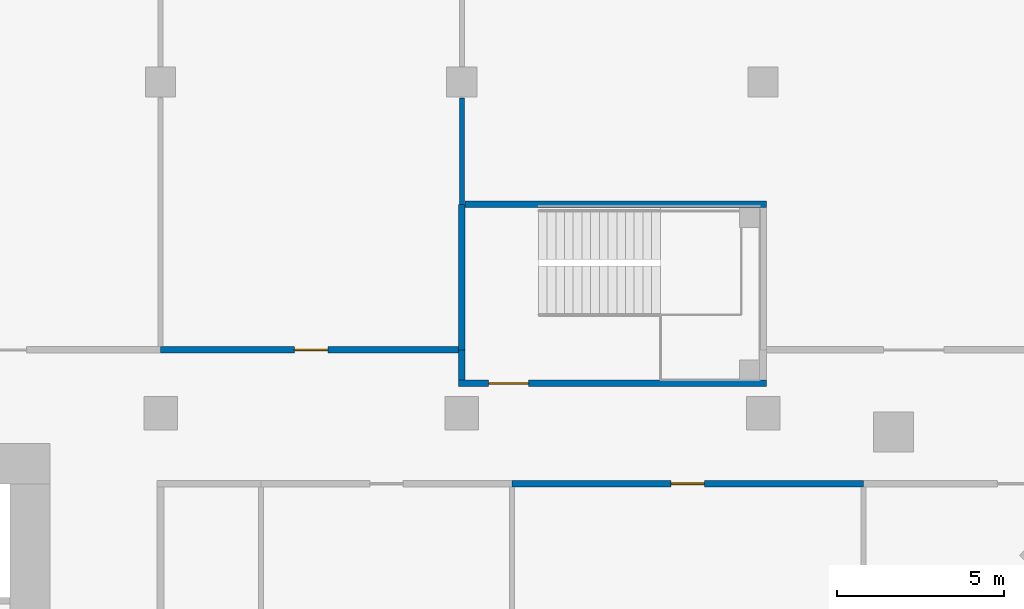
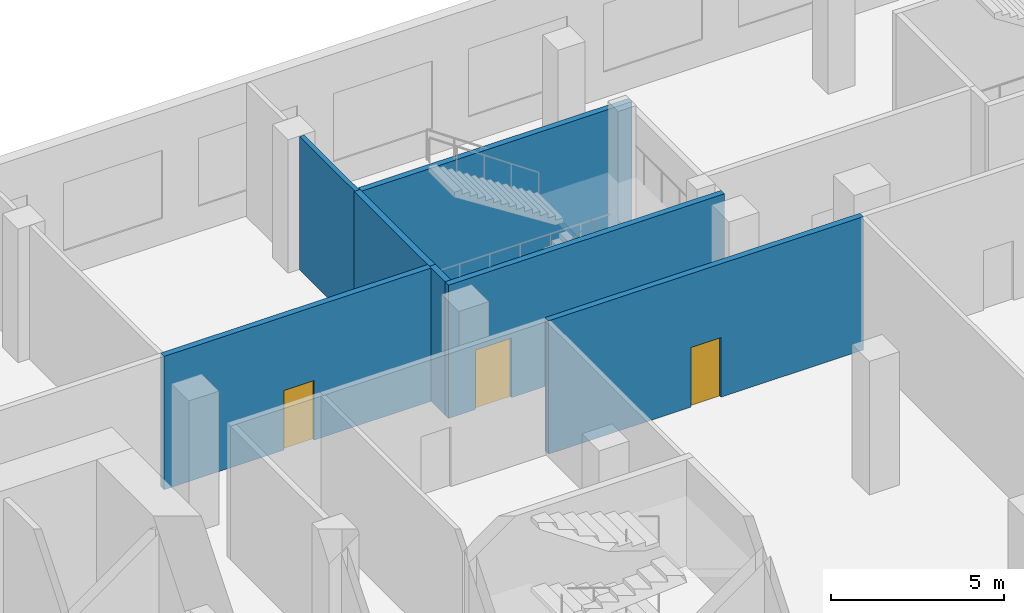
# One storey, part 12 of 21: 7 walls, 3 doors, 3 openings.
"""IFC4 building model written with IfcOpenShell, lengths in metres."""

from ifc_helpers import new_model, si_unit, direction, frame, frame_2d, origin, place, context, subcontext, project, spatial, rectangle, extrude, material, layer, layer_set, type_object, element, fill, save


model = new_model("IFC4")

# Units and contexts
model_context = context("Model", 3, precision=1e-05, world=origin(), true_north=direction((0.0, 1.0)))
body_context = subcontext(model_context, "Body", "Model", "MODEL_VIEW")
ifc_project = project(units=[si_unit("LENGTHUNIT", "METRE"), si_unit("AREAUNIT", "SQUARE_METRE"), si_unit("VOLUMEUNIT", "CUBIC_METRE"), si_unit("PLANEANGLEUNIT", "RADIAN"), si_unit("MASSUNIT", "GRAM", prefix="KILO")], contexts=[model_context])

# Site, building, storey
site_placement = place(None, origin())
site = spatial("IfcSite", under=ifc_project, at=site_placement, CompositionType="ELEMENT")
building_placement = place(site_placement, origin())
building = spatial("IfcBuilding", under=site, at=building_placement, Name="Cinnabar Reach Civic Tower", CompositionType="ELEMENT")
storey_placement = place(building_placement, frame((0.0, 0.0, 11.0)))
storey = spatial("IfcBuildingStorey", under=building, at=storey_placement, Name="L02", CompositionType="ELEMENT", Elevation=11.0)

# Wall, opening, door
ifc_material_1 = material(Name="Concrete blockwork", Category="masonry")
ifc_layer_1 = layer(ifc_material_1, 0.2)
ifc_layer_set_1 = layer_set([ifc_layer_1], Name="Podium masonry corridor wall 200 EI 120")
wall_type_1 = type_object("IfcWallType", Name="Podium masonry corridor wall 200 EI 120", PredefinedType="PARTITIONING", material=ifc_layer_set_1)
wall_1_placement = place(storey_placement, frame((37.5, 42.0, 0.0), z_axis=(0.0, 0.0, 1.0), x_axis=(1.0, 0.0, 0.0)))
wall_1 = element("IfcWall", 1, at=wall_1_placement, inside=storey, type_object=wall_type_1, Name="Wall L02 97", PredefinedType="PARTITIONING", context=body_context, shape_type="SweptSolid", body=[
    extrude(rectangle(XDim=10.5, YDim=0.2, at=frame_2d((5.25, 0.0))), origin(), (0.0, 0.0, 1.0), 4.7),
])
opening_1_placement = place(wall_1_placement, frame((4.75, 0.0, 0.0)))
opening_1 = element("IfcOpeningElement", 2, at=opening_1_placement, cuts=wall_1, Name="Opening D1141", PredefinedType="OPENING", context=body_context, shape_type="SweptSolid", body=[
    extrude(rectangle(XDim=1.0, YDim=2.1, at=frame_2d((0.5, 1.05))), frame((0.0, 0.11, 0.0), z_axis=(0.0, -1.0, 0.0), x_axis=(1.0, 0.0, 0.0)), (0.0, 0.0, 1.0), 0.22),
])
ifc_material_2 = material(Name="Painted steel door leaf", Category="steel")
door_type_1 = type_object("IfcDoorType", Name="Podium single door 1000x2100", OperationType="SINGLE_SWING_LEFT", PredefinedType="DOOR", material=ifc_material_2)
door_1_placement = place(opening_1_placement, frame((1.0, 0.0, 0.0), z_axis=(0.0, 0.0, 1.0), x_axis=(-1.0, 0.0, 0.0)))
door_1 = element("IfcDoor", 3, at=door_1_placement, inside=storey, type_object=door_type_1, Name="Door D1141", OperationType="SINGLE_SWING_LEFT", OverallHeight=2.1, OverallWidth=1.0, PredefinedType="DOOR", context=body_context, shape_type="SweptSolid", body=[
    extrude(rectangle(XDim=1.0, YDim=2.1, at=frame_2d((0.5, 1.05))), frame((0.0, 0.025, 0.0), z_axis=(0.0, -1.0, 0.0), x_axis=(1.0, 0.0, 0.0)), (0.0, 0.0, 1.0), 0.05),
])
fill(opening_1, door_1)

wall_2_placement = place(storey_placement, frame((27.0, 46.0, 0.0), z_axis=(0.0, 0.0, 1.0), x_axis=(1.0, 0.0, 0.0)))
wall_2 = element("IfcWall", 4, at=wall_2_placement, inside=storey, type_object=wall_type_1, Name="Wall L02 103", PredefinedType="PARTITIONING", context=body_context, shape_type="SweptSolid", body=[
    extrude(rectangle(XDim=8.9, YDim=0.2, at=frame_2d((4.45, 0.0))), origin(), (0.0, 0.0, 1.0), 4.7),
])
opening_2_placement = place(wall_2_placement, frame((4.0, 0.0, 0.0)))
opening_2 = element("IfcOpeningElement", 5, at=opening_2_placement, cuts=wall_2, Name="Opening D1151", PredefinedType="OPENING", context=body_context, shape_type="SweptSolid", body=[
    extrude(rectangle(XDim=1.0, YDim=2.1, at=frame_2d((0.5, 1.05))), frame((0.0, 0.11, 0.0), z_axis=(0.0, -1.0, 0.0), x_axis=(1.0, 0.0, 0.0)), (0.0, 0.0, 1.0), 0.22),
])
door_2_placement = place(opening_2_placement, frame((1.0, 0.0, 0.0), z_axis=(0.0, 0.0, 1.0), x_axis=(-1.0, 0.0, 0.0)))
door_2 = element("IfcDoor", 6, at=door_2_placement, inside=storey, type_object=door_type_1, Name="Door D1151", OperationType="SINGLE_SWING_RIGHT", OverallHeight=2.1, OverallWidth=1.0, PredefinedType="DOOR", context=body_context, shape_type="SweptSolid", body=[
    extrude(rectangle(XDim=1.0, YDim=2.1, at=frame_2d((0.5, 1.05))), frame((0.0, 0.025, 0.0), z_axis=(0.0, -1.0, 0.0), x_axis=(1.0, 0.0, 0.0)), (0.0, 0.0, 1.0), 0.05),
])
fill(opening_2, door_2)

# Wall
ifc_material_3 = material(Name="Gypsum board on steel studs", Category="steel")
ifc_layer_2 = layer(ifc_material_3, 0.15)
ifc_layer_set_2 = layer_set([ifc_layer_2], Name="Podium partition wall 150 EI 90")
wall_type_2 = type_object("IfcWallType", Name="Podium partition wall 150 EI 90", PredefinedType="PARTITIONING", material=ifc_layer_set_2)
wall_3_placement = place(storey_placement, frame((36.0, 50.35, 0.0), z_axis=(0.0, 0.0, 1.0), x_axis=(0.0, 1.0, 0.0)))
element("IfcWall", 7, at=wall_3_placement, inside=storey, type_object=wall_type_2, Name="Wall L02 225", PredefinedType="PARTITIONING", context=body_context, shape_type="SweptSolid", body=[
    extrude(rectangle(XDim=3.18, YDim=0.15, at=frame_2d((1.59, 0.0))), origin(), (0.0, 0.0, 1.0), 4.7),
])

# Wall, opening, door
ifc_material_4 = material(Name="Concrete C40", Category="concrete")
ifc_layer_3 = layer(ifc_material_4, 0.2)
ifc_layer_set_3 = layer_set([ifc_layer_3], Name="Podium stair shaft wall 200 EI 120")
wall_type_3 = type_object("IfcWallType", Name="Podium stair shaft wall 200 EI 120", PredefinedType="SOLIDWALL", material=ifc_layer_set_3)
wall_4_placement = place(storey_placement, frame((35.9, 45.0, 0.0), z_axis=(0.0, 0.0, 1.0), x_axis=(1.0, 0.0, 0.0)))
wall_4 = element("IfcWall", 8, at=wall_4_placement, inside=storey, type_object=wall_type_3, Name="Wall L02 23", PredefinedType="SOLIDWALL", context=body_context, shape_type="SweptSolid", body=[
    extrude(rectangle(XDim=9.2, YDim=0.2, at=frame_2d((4.6, 0.0))), origin(), (0.0, 0.0, 1.0), 4.7),
])
opening_3_placement = place(wall_4_placement, frame((0.9, 0.0, 0.0)))
opening_3 = element("IfcOpeningElement", 9, at=opening_3_placement, cuts=wall_4, Name="Opening D1158", PredefinedType="OPENING", context=body_context, shape_type="SweptSolid", body=[
    extrude(rectangle(XDim=1.2, YDim=2.1, at=frame_2d((0.6, 1.05))), frame((0.0, 0.11, 0.0), z_axis=(0.0, -1.0, 0.0), x_axis=(1.0, 0.0, 0.0)), (0.0, 0.0, 1.0), 0.22),
])
door_type_2 = type_object("IfcDoorType", Name="Podium single door 1200x2100", OperationType="SINGLE_SWING_LEFT", PredefinedType="DOOR", material=ifc_material_2)
door_3_placement = place(opening_3_placement, origin())
door_3 = element("IfcDoor", 10, at=door_3_placement, inside=storey, type_object=door_type_2, Name="Door D1158", OperationType="SINGLE_SWING_LEFT", OverallHeight=2.1, OverallWidth=1.2, PredefinedType="DOOR", context=body_context, shape_type="SweptSolid", body=[
    extrude(rectangle(XDim=1.2, YDim=2.1, at=frame_2d((0.6, 1.05))), frame((0.0, 0.025, 0.0), z_axis=(0.0, -1.0, 0.0), x_axis=(1.0, 0.0, 0.0)), (0.0, 0.0, 1.0), 0.05),
])
fill(opening_3, door_3)

# Walls
wall_5_placement = place(storey_placement, frame((36.0, 45.1, 0.0), z_axis=(0.0, 0.0, 1.0), x_axis=(0.0, 1.0, 0.0)))
element("IfcWall", 11, at=wall_5_placement, inside=storey, type_object=wall_type_3, Name="Wall L02 24", PredefinedType="SOLIDWALL", context=body_context, shape_type="SweptSolid", body=[
    extrude(rectangle(XDim=0.9, YDim=0.2, at=frame_2d((0.45, 0.0))), origin(), (0.0, 0.0, 1.0), 4.7),
])
wall_6_placement = place(storey_placement, frame((36.0, 46.0, 0.0), z_axis=(0.0, 0.0, 1.0), x_axis=(0.0, 1.0, 0.0)))
element("IfcWall", 12, at=wall_6_placement, inside=storey, type_object=wall_type_3, Name="Wall L02 25", PredefinedType="SOLIDWALL", context=body_context, shape_type="SweptSolid", body=[
    extrude(rectangle(XDim=4.35, YDim=0.2, at=frame_2d((2.175, 0.0))), origin(), (0.0, 0.0, 1.0), 4.7),
])
wall_7_placement = place(storey_placement, frame((36.1, 50.35, 0.0), z_axis=(0.0, 0.0, 1.0), x_axis=(1.0, 0.0, 0.0)))
element("IfcWall", 13, at=wall_7_placement, inside=storey, type_object=wall_type_3, Name="Wall L02 26", PredefinedType="SOLIDWALL", context=body_context, shape_type="SweptSolid", body=[
    extrude(rectangle(XDim=9.0, YDim=0.2, at=frame_2d((4.5, 0.0))), origin(), (0.0, 0.0, 1.0), 4.7),
])

save(model, "model.ifc")
